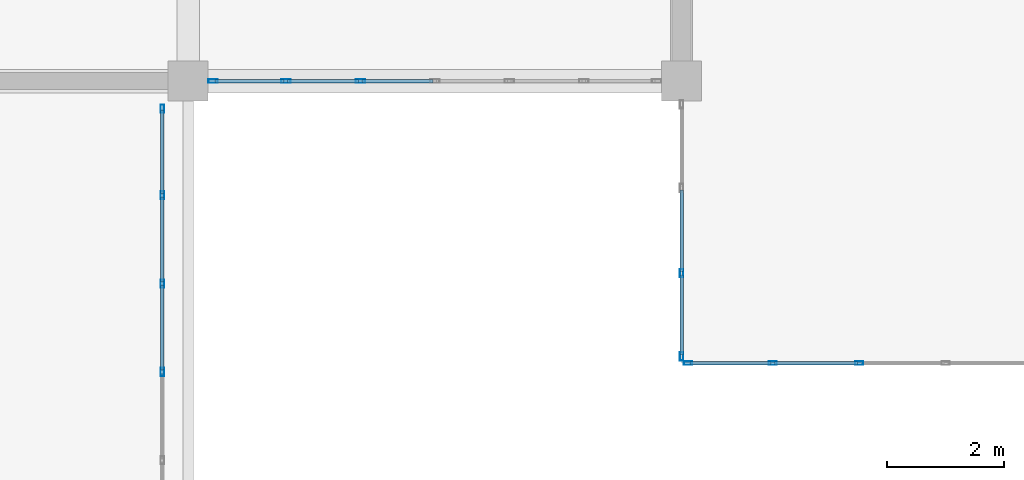
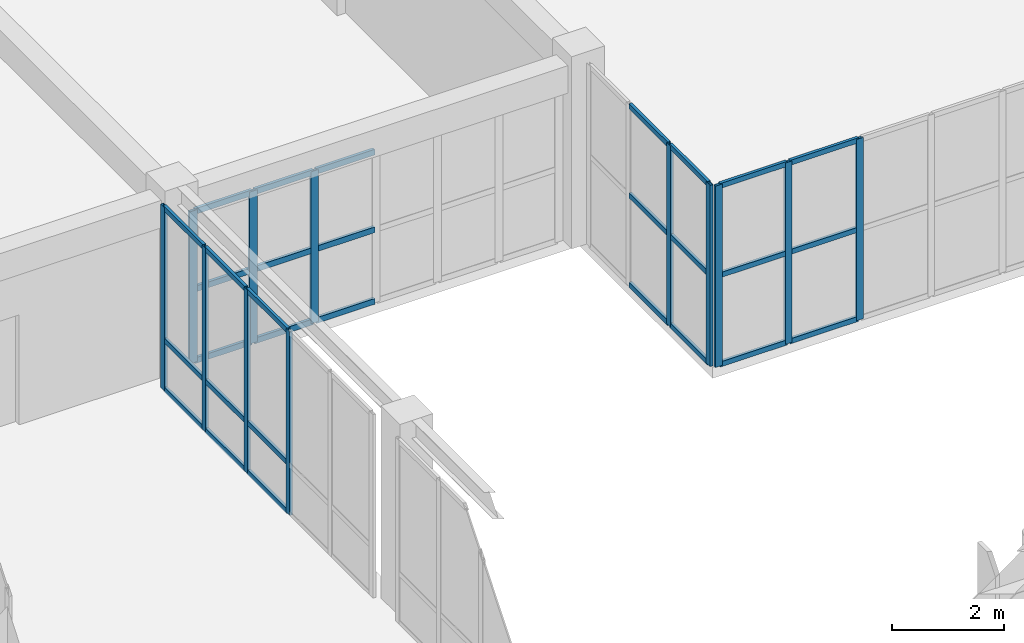
# One storey, part 38 of 140: 42 members, 4 elements without a shape of their own.
"""IFC4 building model written with IfcOpenShell, lengths in metres."""

import ifcopenshell
import ifcopenshell.guid

model = None  # the IFC model being written
_history = None  # IfcOwnerHistory: only IFC2X3 demands one
_inside = {}  # id of a spatial element -> (the spatial element, [elements in it])
_under = {}  # id of a project, library or spatial element -> (it, [spatial elements below it])
_declared = {}  # id of a project -> (the project, [libraries it declares])
_typed = {}  # id of a type object -> (the type object, [elements of that type])
_made_of = {}  # id of a material, layer set ... -> (it, [elements and type objects made of it])


def new_model(schema):
    """Start an empty IFC model of exactly this schema.

    Asked for "IFC4X3", IfcOpenShell would pick the latest addendum, in which some entities
    have other attributes; the version numbers below select the first issue.
    IFC2X3 requires an IfcOwnerHistory on every rooted entity: one is made here for all.
    """
    global model, _history
    if schema == "IFC4X3":
        model = ifcopenshell.file(schema_version=(4, 3, 0, 0))
    else:
        model = ifcopenshell.file(schema=schema)
    _inside.clear()
    _under.clear()
    _declared.clear()
    _typed.clear()
    _made_of.clear()
    _history = None
    if model.schema == "IFC2X3":
        org = make("IfcOrganization", Name="unknown")
        user = make(
            "IfcPersonAndOrganization",
            ThePerson=make("IfcPerson", FamilyName="unknown"),
            TheOrganization=org,
        )
        app = make(
            "IfcApplication",
            ApplicationDeveloper=org,
            Version="unknown",
            ApplicationFullName="unknown",
            ApplicationIdentifier="unknown",
        )
        _history = make(
            "IfcOwnerHistory",
            OwningUser=user,
            OwningApplication=app,
            ChangeAction="ADDED",
            CreationDate=0,
        )
    return model


def make(cls, **values):
    """One entity of the class cls with the attributes given. An attribute that is None is left unset."""
    return model.create_entity(
        cls, **{name: value for name, value in values.items() if value is not None}
    )


def rooted(cls, **values):
    """An entity with a GlobalId (a new one), such as an element, a storey or a relation."""
    return make(cls, GlobalId=ifcopenshell.guid.new(), OwnerHistory=_history, **values)


def si_unit(unit_type, name, prefix=None):
    """IfcSIUnit, for example si_unit("LENGTHUNIT", "METRE", prefix="MILLI")."""
    return make("IfcSIUnit", UnitType=unit_type, Prefix=prefix, Name=name)


def assignment(units):
    """IfcUnitAssignment: the units of a project."""
    return None if units is None else make("IfcUnitAssignment", Units=units)


def point(xyz):
    """IfcCartesianPoint."""
    return None if xyz is None else make("IfcCartesianPoint", Coordinates=xyz)


def direction(xyz):
    """IfcDirection."""
    return None if xyz is None else make("IfcDirection", DirectionRatios=xyz)


def frame(location, z_axis=None, x_axis=None):
    """IfcAxis2Placement3D, a coordinate frame: its origin and axes. An axis left out is left unset."""
    return make(
        "IfcAxis2Placement3D",
        Location=point(location),
        Axis=direction(z_axis),
        RefDirection=direction(x_axis),
    )


def frame_2d(location, x_axis=None):
    """IfcAxis2Placement2D, a coordinate frame in the plane: its origin and x axis."""
    return make(
        "IfcAxis2Placement2D", Location=point(location), RefDirection=direction(x_axis)
    )


def origin():
    """The frame at (0, 0, 0) with its axes left unset."""
    return frame((0.0, 0.0, 0.0))


def origin_2d():
    """The frame at (0, 0) in the plane with its x axis left unset."""
    return frame_2d((0.0, 0.0))


def place(relative_to, where):
    """IfcLocalPlacement: puts the frame where relative to a parent placement (None: the world)."""
    return make(
        "IfcLocalPlacement", PlacementRelTo=relative_to, RelativePlacement=where
    )


def context(
    kind, dimensions, precision=None, world=None, true_north=None, identifier=None
):
    """IfcGeometricRepresentationContext, for example the 3D "Model" context."""
    return make(
        "IfcGeometricRepresentationContext",
        ContextIdentifier=identifier,
        ContextType=kind,
        CoordinateSpaceDimension=dimensions,
        Precision=precision,
        WorldCoordinateSystem=world,
        TrueNorth=true_north,
    )


def subcontext(parent, identifier, kind, view, scale=None):
    """IfcGeometricRepresentationSubContext, for example "Body" below "Model"."""
    return make(
        "IfcGeometricRepresentationSubContext",
        ContextIdentifier=identifier,
        ContextType=kind,
        ParentContext=parent,
        TargetScale=scale,
        TargetView=view,
    )


def project(units=None, contexts=None):
    """IfcProject with its units and contexts."""
    return rooted(
        "IfcProject",
        Name="project",
        RepresentationContexts=contexts,
        UnitsInContext=assignment(units),
    )


def spatial(cls, under=None, at=None, **own):
    """A site, building, storey or space (cls), placed at a placement, below another one or the project."""
    s = rooted(cls, ObjectPlacement=at, **own)
    if under is not None:
        _under.setdefault(under.id(), (under, []))[1].append(s)
    return s


def profile(cls, at=None, kind="AREA", **sizes):
    """A parametric profile (cls). Its sizes go by their IFC names, for example OverallWidth=200.0."""
    return make(cls, ProfileType=kind, Position=at, **sizes)


def hollow_rectangle(**sizes):
    """IfcRectangleHollowProfileDef."""
    return profile("IfcRectangleHollowProfileDef", **sizes)


def extrude(swept, where, along, depth):
    """IfcExtrudedAreaSolid: the profile swept, set in the frame where, extruded along a direction by depth."""
    return make(
        "IfcExtrudedAreaSolid",
        SweptArea=swept,
        Position=where,
        ExtrudedDirection=direction(along),
        Depth=depth,
    )


def shape(context_of_items, identifier, shape_type, items):
    """IfcShapeRepresentation: the items that make up one representation, for example the "Body"."""
    return make(
        "IfcShapeRepresentation",
        ContextOfItems=context_of_items,
        RepresentationIdentifier=identifier,
        RepresentationType=shape_type,
        Items=items,
    )


def material(Name=None, Category=None):
    """IfcMaterial."""
    return make("IfcMaterial", Name=Name, Category=Category)


def layer(
    of_material, thickness, ventilated=None, Name=None, Category=None, Priority=None
):
    """IfcMaterialLayer: one layer of a wall or slab, of a material (None: an air gap)."""
    return make(
        "IfcMaterialLayer",
        Material=of_material,
        LayerThickness=thickness,
        IsVentilated=ventilated,
        Name=Name,
        Category=Category,
        Priority=Priority,
    )


def layer_set(layers, Name=None):
    """IfcMaterialLayerSet."""
    return make("IfcMaterialLayerSet", MaterialLayers=layers, LayerSetName=Name)


def material_profile(
    of_material, cross_section, Name=None, Category=None, Priority=None
):
    """IfcMaterialProfile: a cross section and its material."""
    return make(
        "IfcMaterialProfile",
        Name=Name,
        Material=of_material,
        Profile=cross_section,
        Priority=Priority,
        Category=Category,
    )


def profile_set(profiles, Name=None, composite=None):
    """IfcMaterialProfileSet."""
    return make(
        "IfcMaterialProfileSet",
        Name=Name,
        MaterialProfiles=profiles,
        CompositeProfile=composite,
    )


def made_of(thing, what):
    """Note that an element or type object is made of a material, layer set ...; save() writes the relation."""
    if what is not None:
        _made_of.setdefault(what.id(), (what, []))[1].append(thing)
    return thing


def type_object(cls, material=None, **own):
    """A type object (cls), such as IfcWallType, which elements share."""
    return made_of(rooted(cls, **own), material)


def element(
    cls,
    number,
    at=None,
    inside=None,
    cuts=None,
    type_object=None,
    material=None,
    context=None,
    identifier="Body",
    shape_type=None,
    held_by="IfcProductDefinitionShape",
    body=None,
    shapes=None,
    **own,
):
    """One element of the class cls, such as IfcWall. Its Tag is "e" and its number.

    at: its placement. inside: the storey or other place that contains it. cuts: it is an
    opening in that element (IfcRelVoidsElement). A single representation is given by context,
    identifier, shape_type and body (its items); several are given by shapes. held_by: the class
    of the entity that holds the representations. save() writes the other relations.
    """
    e = rooted(cls, Tag="e%d" % number, ObjectPlacement=at, **own)
    if body is not None:
        shapes = [shape(context, identifier, shape_type, body)]
    if shapes is not None:
        e.Representation = make(held_by, Representations=shapes)
    if inside is not None:
        _inside.setdefault(inside.id(), (inside, []))[1].append(e)
    if cuts is not None:
        rooted(
            "IfcRelVoidsElement", RelatingBuildingElement=cuts, RelatedOpeningElement=e
        )
    if type_object is not None:
        _typed.setdefault(type_object.id(), (type_object, []))[1].append(e)
    return made_of(e, material)


def aggregate(whole, parts):
    """IfcRelAggregates: a whole, such as a stair, and the parts it consists of."""
    return rooted("IfcRelAggregates", RelatingObject=whole, RelatedObjects=parts)


def save(model, path):
    """Write the relations noted so far, then the file.

    IfcRelAggregates (storeys below a building ...), IfcRelContainedInSpatialStructure (elements
    in a storey), IfcRelDefinesByType, IfcRelAssociatesMaterial and IfcRelDeclares: one each for
    every whole, place, type object, material and project.
    """
    for whole, parts in _under.values():
        aggregate(whole, parts)
    for where, things in _inside.values():
        rooted(
            "IfcRelContainedInSpatialStructure",
            RelatedElements=things,
            RelatingStructure=where,
        )
    for kind, things in _typed.values():
        rooted("IfcRelDefinesByType", RelatedObjects=things, RelatingType=kind)
    for what, things in _made_of.values():
        rooted("IfcRelAssociatesMaterial", RelatedObjects=things, RelatingMaterial=what)
    for by, libraries in _declared.values():
        rooted("IfcRelDeclares", RelatingContext=by, RelatedDefinitions=libraries)
    model.write(path)


model = new_model("IFC4")

# Units and contexts
model_context = context("Model", 3, precision=1e-05, world=origin(), true_north=direction((0.0, 1.0)))
body_context = subcontext(model_context, "Body", "Model", "MODEL_VIEW")
ifc_project = project(units=[si_unit("LENGTHUNIT", "METRE"), si_unit("AREAUNIT", "SQUARE_METRE"), si_unit("VOLUMEUNIT", "CUBIC_METRE"), si_unit("PLANEANGLEUNIT", "RADIAN"), si_unit("MASSUNIT", "GRAM", prefix="KILO")], contexts=[model_context])

# Site, building, storey
site_placement = place(None, origin())
site = spatial("IfcSite", under=ifc_project, at=site_placement, CompositionType="ELEMENT")
building_placement = place(site_placement, origin())
building = spatial("IfcBuilding", under=site, at=building_placement, Name="Trelvath General Hospital", CompositionType="ELEMENT")
storey_placement = place(building_placement, frame((0.0, 0.0, 16.199951171875)))
storey = spatial("IfcBuildingStorey", under=building, at=storey_placement, Name="L04", CompositionType="ELEMENT", Elevation=16.199951171875)

# Curtain wall, members
ifc_material_1 = material(Name="Anodised aluminium and low-E glass", Category="aluminium")
ifc_layer_1 = layer(ifc_material_1, 0.139892578125)
ifc_layer_set_1 = layer_set([ifc_layer_1], Name="Anodised aluminium and low-E glass")
curtain_wall_type_1 = type_object("IfcCurtainWallType", Name="CW CrystalCube 737 396 14", PredefinedType="USERDEFINED", material=ifc_layer_set_1)
curtain_wall_1_placement = place(storey_placement, origin())
curtain_wall_1 = element("IfcCurtainWall", 1, at=curtain_wall_1_placement, inside=storey, type_object=curtain_wall_type_1, Name="Crystal Cube Curtain Wall CUBE-E-T1 S1 L04", ObjectType="Unitised Glazed Curtain Wall", PredefinedType="USERDEFINED")
ifc_material_2 = material(Name="Anodised aluminium", Category="aluminium")
ifc_material_profile_1 = material_profile(ifc_material_2, hollow_rectangle(XDim=0.06005859375, YDim=0.139892578125, WallThickness=0.00390625, at=origin_2d()), Name="RHS60x140x4")
ifc_profile_set_1 = profile_set([ifc_material_profile_1], Name="Anodised aluminium")
member_type_1 = type_object("IfcMemberType", Name="CurtainMullion 60x140", PredefinedType="MULLION", material=ifc_profile_set_1)
member_1_placement = place(storey_placement, frame((95.4267578125, 37.199951171875, 0.0), z_axis=(0.0, 0.0, 1.0), x_axis=(0.0, -1.0, 0.0)))
member_1 = element("IfcMember", 2, at=member_1_placement, type_object=member_type_1, Name="CW-282 mullion 4", PredefinedType="MULLION", context=body_context, shape_type="SweptSolid", body=[
    extrude(hollow_rectangle(XDim=0.06005859375, YDim=0.139892578125, WallThickness=0.00390625, at=origin_2d()), origin(), (0.0, 0.0, 1.0), 3.9599609375),
])
member_2_placement = place(storey_placement, frame((93.953369140625, 37.199951171875, 0.0), z_axis=(0.0, 0.0, 1.0), x_axis=(0.0, -1.0, 0.0)))
member_2 = element("IfcMember", 3, at=member_2_placement, type_object=member_type_1, Name="CW-282 mullion 5", PredefinedType="MULLION", context=body_context, shape_type="SweptSolid", body=[
    extrude(hollow_rectangle(XDim=0.06005859375, YDim=0.139892578125, WallThickness=0.00390625, at=origin_2d()), origin(), (0.0, 0.0, 1.0), 3.9599609375),
])
member_3_placement = place(storey_placement, frame((92.510009765625, 37.199951171875, 0.0), z_axis=(0.0, 0.0, 1.0), x_axis=(0.0, -1.0, 0.0)))
member_3 = element("IfcMember", 4, at=member_3_placement, type_object=member_type_1, Name="CW-282 mullion 6", PredefinedType="MULLION", context=body_context, shape_type="SweptSolid", body=[
    extrude(hollow_rectangle(XDim=0.06005859375, YDim=0.139892578125, WallThickness=0.00390625, at=origin_2d()), origin(), (0.0, 0.0, 1.0), 3.9599609375),
])

ifc_material_3 = material(Name="Anodised aluminium and low-E glass", Category="aluminium")
ifc_layer_2 = layer(ifc_material_3, 0.139892578125)
ifc_layer_set_2 = layer_set([ifc_layer_2], Name="Anodised aluminium and low-E glass")
curtain_wall_type_2 = type_object("IfcCurtainWallType", Name="CW CrystalCube 435 396 14", PredefinedType="USERDEFINED", material=ifc_layer_set_2)
curtain_wall_2_placement = place(storey_placement, origin())
curtain_wall_2 = element("IfcCurtainWall", 5, at=curtain_wall_2_placement, inside=storey, type_object=curtain_wall_type_2, Name="Crystal Cube Curtain Wall CUBE-E-T1 W1 L04", ObjectType="Unitised Glazed Curtain Wall", PredefinedType="USERDEFINED")
member_4_placement = place(storey_placement, frame((92.39990234375, 37.31005859375, 0.0), z_axis=(0.0, 0.0, 1.0), x_axis=(-1.0, 0.0, 0.0)))
member_4 = element("IfcMember", 6, at=member_4_placement, type_object=member_type_1, Name="CW-289 mullion 1", PredefinedType="MULLION", context=body_context, shape_type="SweptSolid", body=[
    extrude(hollow_rectangle(XDim=0.06005859375, YDim=0.139892578125, WallThickness=0.00390625, at=origin_2d()), origin(), (0.0, 0.0, 1.0), 3.9599609375),
])
member_5_placement = place(storey_placement, frame((92.39990234375, 38.72998046875, 0.0), z_axis=(0.0, 0.0, 1.0), x_axis=(-1.0, 0.0, 0.0)))
member_5 = element("IfcMember", 7, at=member_5_placement, type_object=member_type_1, Name="CW-289 mullion 2", PredefinedType="MULLION", context=body_context, shape_type="SweptSolid", body=[
    extrude(hollow_rectangle(XDim=0.06005859375, YDim=0.139892578125, WallThickness=0.00390625, at=origin_2d()), origin(), (0.0, 0.0, 1.0), 3.9599609375),
])

ifc_material_4 = material(Name="Anodised aluminium and low-E glass", Category="aluminium")
ifc_layer_3 = layer(ifc_material_4, 0.139892578125)
ifc_layer_set_3 = layer_set([ifc_layer_3], Name="Anodised aluminium and low-E glass")
curtain_wall_type_3 = type_object("IfcCurtainWallType", Name="CW Bridge 752 401", PredefinedType="USERDEFINED", material=ifc_layer_set_3)
curtain_wall_3_placement = place(storey_placement, origin())
curtain_wall_3 = element("IfcCurtainWall", 8, at=curtain_wall_3_placement, inside=storey, type_object=curtain_wall_type_3, Name="Glazed Bridge Curtain Wall BRG-S-C E L04", ObjectType="Unitised Glazed Curtain Wall", PredefinedType="USERDEFINED")
member_6_placement = place(storey_placement, frame((83.56005859375, 41.530029296875, 0.0), z_axis=(0.0, 0.0, 1.0), x_axis=(1.0, 0.0, 0.0)))
member_6 = element("IfcMember", 9, at=member_6_placement, type_object=member_type_1, Name="CW-305 mullion 1", PredefinedType="MULLION", context=body_context, shape_type="SweptSolid", body=[
    extrude(hollow_rectangle(XDim=0.06005859375, YDim=0.139892578125, WallThickness=0.00390625, at=origin_2d()), origin(), (0.0, 0.0, 1.0), 4.010009765625),
])
member_7_placement = place(storey_placement, frame((83.56005859375, 40.055908203125, 0.0), z_axis=(0.0, 0.0, 1.0), x_axis=(1.0, 0.0, 0.0)))
member_7 = element("IfcMember", 10, at=member_7_placement, type_object=member_type_1, Name="CW-305 mullion 2", PredefinedType="MULLION", context=body_context, shape_type="SweptSolid", body=[
    extrude(hollow_rectangle(XDim=0.06005859375, YDim=0.139892578125, WallThickness=0.00390625, at=origin_2d()), origin(), (0.0, 0.0, 1.0), 4.010009765625),
])
member_8_placement = place(storey_placement, frame((83.56005859375, 38.552001953125, 0.0), z_axis=(0.0, 0.0, 1.0), x_axis=(1.0, 0.0, 0.0)))
member_8 = element("IfcMember", 11, at=member_8_placement, type_object=member_type_1, Name="CW-305 mullion 3", PredefinedType="MULLION", context=body_context, shape_type="SweptSolid", body=[
    extrude(hollow_rectangle(XDim=0.06005859375, YDim=0.139892578125, WallThickness=0.00390625, at=origin_2d()), origin(), (0.0, 0.0, 1.0), 4.010009765625),
])
member_9_placement = place(storey_placement, frame((83.56005859375, 37.048095703125, 0.0), z_axis=(0.0, 0.0, 1.0), x_axis=(1.0, 0.0, 0.0)))
member_9 = element("IfcMember", 12, at=member_9_placement, type_object=member_type_1, Name="CW-305 mullion 4", PredefinedType="MULLION", context=body_context, shape_type="SweptSolid", body=[
    extrude(hollow_rectangle(XDim=0.06005859375, YDim=0.139892578125, WallThickness=0.00390625, at=origin_2d()), origin(), (0.0, 0.0, 1.0), 4.010009765625),
])

ifc_material_5 = material(Name="Anodised aluminium and low-E glass", Category="aluminium")
ifc_layer_4 = layer(ifc_material_5, 0.14990234375)
ifc_layer_set_4 = layer_set([ifc_layer_4], Name="Anodised aluminium and low-E glass")
curtain_wall_type_4 = type_object("IfcCurtainWallType", Name="CW Facade 761 332 15", PredefinedType="USERDEFINED", material=ifc_layer_set_4)
curtain_wall_4_placement = place(storey_placement, origin())
curtain_wall_4 = element("IfcCurtainWall", 13, at=curtain_wall_4_placement, inside=storey, type_object=curtain_wall_type_4, Name="Facade Curtain Wall CW-064", ObjectType="Unitised Glazed Curtain Wall", PredefinedType="USERDEFINED")
ifc_material_6 = material(Name="Anodised aluminium", Category="aluminium")
ifc_material_profile_2 = material_profile(ifc_material_6, hollow_rectangle(XDim=0.06005859375, YDim=0.159912109375, WallThickness=0.00390625, at=origin_2d()), Name="RHS60x160x4")
ifc_profile_set_2 = profile_set([ifc_material_profile_2], Name="Anodised aluminium")
member_type_2 = type_object("IfcMemberType", Name="CurtainMullion 60x160", PredefinedType="MULLION", material=ifc_profile_set_2)
member_10_placement = place(storey_placement, frame((86.931640625, 42.0, 0.0), z_axis=(0.0, 0.0, 1.0), x_axis=(0.0, -1.0, 0.0)))
member_10 = element("IfcMember", 14, at=member_10_placement, type_object=member_type_2, Name="CW-064 mullion 5", PredefinedType="MULLION", context=body_context, shape_type="SweptSolid", body=[
    extrude(hollow_rectangle(XDim=0.06005859375, YDim=0.159912109375, WallThickness=0.00390625, at=origin_2d()), origin(), (0.0, 0.0, 1.0), 3.320068359375),
])
member_11_placement = place(storey_placement, frame((85.663330078125, 42.0, 0.0), z_axis=(0.0, 0.0, 1.0), x_axis=(0.0, -1.0, 0.0)))
member_11 = element("IfcMember", 15, at=member_11_placement, type_object=member_type_2, Name="CW-064 mullion 6", PredefinedType="MULLION", context=body_context, shape_type="SweptSolid", body=[
    extrude(hollow_rectangle(XDim=0.06005859375, YDim=0.159912109375, WallThickness=0.00390625, at=origin_2d()), origin(), (0.0, 0.0, 1.0), 3.320068359375),
])
member_12_placement = place(storey_placement, frame((84.425048828125, 42.0, 0.0), z_axis=(0.0, 0.0, 1.0), x_axis=(0.0, -1.0, 0.0)))
member_12 = element("IfcMember", 16, at=member_12_placement, type_object=member_type_2, Name="CW-064 mullion 7", PredefinedType="MULLION", context=body_context, shape_type="SweptSolid", body=[
    extrude(hollow_rectangle(XDim=0.06005859375, YDim=0.159912109375, WallThickness=0.00390625, at=origin_2d()), origin(), (0.0, 0.0, 1.0), 3.320068359375),
])

# Member
ifc_material_7 = material(Name="Anodised aluminium", Category="aluminium")
ifc_material_profile_3 = material_profile(ifc_material_7, hollow_rectangle(XDim=0.06005859375, YDim=0.110107421875, WallThickness=0.00390625, at=origin_2d()), Name="RHS60x110x4")
ifc_profile_set_3 = profile_set([ifc_material_profile_3], Name="Anodised aluminium")
member_type_3 = type_object("IfcMemberType", Name="CurtainTransom 60x110", PredefinedType="USERDEFINED", material=ifc_profile_set_3)
member_13_placement = place(storey_placement, frame((95.396728515625, 37.199951171875, 0.030029296875), z_axis=(-1.0, 0.0, 0.0), x_axis=(0.0, -1.0, 0.0)))
member_13 = element("IfcMember", 17, at=member_13_placement, type_object=member_type_3, Name="CW-282 transom 4.1", ObjectType="TRANSOM", PredefinedType="USERDEFINED", context=body_context, shape_type="SweptSolid", body=[
    extrude(hollow_rectangle(XDim=0.06005859375, YDim=0.110107421875, WallThickness=0.00390625, at=origin_2d()), origin(), (0.0, 0.0, 1.0), 1.413330078125),
])

member_14_placement = place(storey_placement, frame((95.396728515625, 37.199951171875, 1.97998046875), z_axis=(-1.0, 0.0, 0.0), x_axis=(0.0, -1.0, 0.0)))
member_14 = element("IfcMember", 18, at=member_14_placement, type_object=member_type_3, Name="CW-282 transom 4.2", ObjectType="TRANSOM", PredefinedType="USERDEFINED", context=body_context, shape_type="SweptSolid", body=[
    extrude(hollow_rectangle(XDim=0.06005859375, YDim=0.110107421875, WallThickness=0.00390625, at=origin_2d()), origin(), (0.0, 0.0, 1.0), 1.413330078125),
])

member_15_placement = place(storey_placement, frame((95.396728515625, 37.199951171875, 3.929931640625), z_axis=(-1.0, 0.0, 0.0), x_axis=(0.0, -1.0, 0.0)))
member_15 = element("IfcMember", 19, at=member_15_placement, type_object=member_type_3, Name="CW-282 transom 4.3", ObjectType="TRANSOM", PredefinedType="USERDEFINED", context=body_context, shape_type="SweptSolid", body=[
    extrude(hollow_rectangle(XDim=0.06005859375, YDim=0.110107421875, WallThickness=0.00390625, at=origin_2d()), origin(), (0.0, 0.0, 1.0), 1.413330078125),
])

member_16_placement = place(storey_placement, frame((93.92333984375, 37.199951171875, 0.030029296875), z_axis=(-1.0, 0.0, 0.0), x_axis=(0.0, -1.0, 0.0)))
member_16 = element("IfcMember", 20, at=member_16_placement, type_object=member_type_3, Name="CW-282 transom 5.1", ObjectType="TRANSOM", PredefinedType="USERDEFINED", context=body_context, shape_type="SweptSolid", body=[
    extrude(hollow_rectangle(XDim=0.06005859375, YDim=0.110107421875, WallThickness=0.00390625, at=origin_2d()), origin(), (0.0, 0.0, 1.0), 1.38330078125),
])

member_17_placement = place(storey_placement, frame((93.92333984375, 37.199951171875, 1.97998046875), z_axis=(-1.0, 0.0, 0.0), x_axis=(0.0, -1.0, 0.0)))
member_17 = element("IfcMember", 21, at=member_17_placement, type_object=member_type_3, Name="CW-282 transom 5.2", ObjectType="TRANSOM", PredefinedType="USERDEFINED", context=body_context, shape_type="SweptSolid", body=[
    extrude(hollow_rectangle(XDim=0.06005859375, YDim=0.110107421875, WallThickness=0.00390625, at=origin_2d()), origin(), (0.0, 0.0, 1.0), 1.38330078125),
])

member_18_placement = place(storey_placement, frame((93.92333984375, 37.199951171875, 3.929931640625), z_axis=(-1.0, 0.0, 0.0), x_axis=(0.0, -1.0, 0.0)))
member_18 = element("IfcMember", 22, at=member_18_placement, type_object=member_type_3, Name="CW-282 transom 5.3", ObjectType="TRANSOM", PredefinedType="USERDEFINED", context=body_context, shape_type="SweptSolid", body=[
    extrude(hollow_rectangle(XDim=0.06005859375, YDim=0.110107421875, WallThickness=0.00390625, at=origin_2d()), origin(), (0.0, 0.0, 1.0), 1.38330078125),
])

aggregate(curtain_wall_1, [member_1, member_2, member_3, member_13, member_14, member_15, member_16, member_17, member_18])

member_19_placement = place(storey_placement, frame((92.39990234375, 37.340087890625, 0.030029296875), z_axis=(0.0, 1.0, 0.0), x_axis=(-1.0, 0.0, 0.0)))
member_19 = element("IfcMember", 23, at=member_19_placement, type_object=member_type_3, Name="CW-289 transom 1.1", ObjectType="TRANSOM", PredefinedType="USERDEFINED", context=body_context, shape_type="SweptSolid", body=[
    extrude(hollow_rectangle(XDim=0.06005859375, YDim=0.110107421875, WallThickness=0.00390625, at=origin_2d()), origin(), (0.0, 0.0, 1.0), 1.35986328125),
])

member_20_placement = place(storey_placement, frame((92.39990234375, 37.340087890625, 1.97998046875), z_axis=(0.0, 1.0, 0.0), x_axis=(-1.0, 0.0, 0.0)))
member_20 = element("IfcMember", 24, at=member_20_placement, type_object=member_type_3, Name="CW-289 transom 1.2", ObjectType="TRANSOM", PredefinedType="USERDEFINED", context=body_context, shape_type="SweptSolid", body=[
    extrude(hollow_rectangle(XDim=0.06005859375, YDim=0.110107421875, WallThickness=0.00390625, at=origin_2d()), origin(), (0.0, 0.0, 1.0), 1.35986328125),
])

member_21_placement = place(storey_placement, frame((92.39990234375, 37.340087890625, 3.929931640625), z_axis=(0.0, 1.0, 0.0), x_axis=(-1.0, 0.0, 0.0)))
member_21 = element("IfcMember", 25, at=member_21_placement, type_object=member_type_3, Name="CW-289 transom 1.3", ObjectType="TRANSOM", PredefinedType="USERDEFINED", context=body_context, shape_type="SweptSolid", body=[
    extrude(hollow_rectangle(XDim=0.06005859375, YDim=0.110107421875, WallThickness=0.00390625, at=origin_2d()), origin(), (0.0, 0.0, 1.0), 1.35986328125),
])

member_22_placement = place(storey_placement, frame((92.39990234375, 38.760009765625, 0.030029296875), z_axis=(0.0, 1.0, 0.0), x_axis=(-1.0, 0.0, 0.0)))
member_22 = element("IfcMember", 26, at=member_22_placement, type_object=member_type_3, Name="CW-289 transom 2.1", ObjectType="TRANSOM", PredefinedType="USERDEFINED", context=body_context, shape_type="SweptSolid", body=[
    extrude(hollow_rectangle(XDim=0.06005859375, YDim=0.110107421875, WallThickness=0.00390625, at=origin_2d()), origin(), (0.0, 0.0, 1.0), 1.389892578125),
])

member_23_placement = place(storey_placement, frame((92.39990234375, 38.760009765625, 1.97998046875), z_axis=(0.0, 1.0, 0.0), x_axis=(-1.0, 0.0, 0.0)))
member_23 = element("IfcMember", 27, at=member_23_placement, type_object=member_type_3, Name="CW-289 transom 2.2", ObjectType="TRANSOM", PredefinedType="USERDEFINED", context=body_context, shape_type="SweptSolid", body=[
    extrude(hollow_rectangle(XDim=0.06005859375, YDim=0.110107421875, WallThickness=0.00390625, at=origin_2d()), origin(), (0.0, 0.0, 1.0), 1.389892578125),
])

member_24_placement = place(storey_placement, frame((92.39990234375, 38.760009765625, 3.929931640625), z_axis=(0.0, 1.0, 0.0), x_axis=(-1.0, 0.0, 0.0)))
member_24 = element("IfcMember", 28, at=member_24_placement, type_object=member_type_3, Name="CW-289 transom 2.3", ObjectType="TRANSOM", PredefinedType="USERDEFINED", context=body_context, shape_type="SweptSolid", body=[
    extrude(hollow_rectangle(XDim=0.06005859375, YDim=0.110107421875, WallThickness=0.00390625, at=origin_2d()), origin(), (0.0, 0.0, 1.0), 1.389892578125),
])

aggregate(curtain_wall_2, [member_4, member_5, member_19, member_20, member_21, member_22, member_23, member_24])

member_25_placement = place(storey_placement, frame((83.56005859375, 41.5, 0.030029296875), z_axis=(0.0, -1.0, 0.0), x_axis=(1.0, 0.0, 0.0)))
member_25 = element("IfcMember", 29, at=member_25_placement, type_object=member_type_3, Name="CW-305 transom 1.1", ObjectType="TRANSOM", PredefinedType="USERDEFINED", context=body_context, shape_type="SweptSolid", body=[
    extrude(hollow_rectangle(XDim=0.06005859375, YDim=0.110107421875, WallThickness=0.00390625, at=origin_2d()), origin(), (0.0, 0.0, 1.0), 1.4140625),
])

member_26_placement = place(storey_placement, frame((83.56005859375, 41.5, 1.10009765625), z_axis=(0.0, -1.0, 0.0), x_axis=(1.0, 0.0, 0.0)))
member_26 = element("IfcMember", 30, at=member_26_placement, type_object=member_type_3, Name="CW-305 transom 1.2", ObjectType="TRANSOM", PredefinedType="USERDEFINED", context=body_context, shape_type="SweptSolid", body=[
    extrude(hollow_rectangle(XDim=0.06005859375, YDim=0.110107421875, WallThickness=0.00390625, at=origin_2d()), origin(), (0.0, 0.0, 1.0), 1.4140625),
])

member_27_placement = place(storey_placement, frame((83.56005859375, 41.5, 3.97998046875), z_axis=(0.0, -1.0, 0.0), x_axis=(1.0, 0.0, 0.0)))
member_27 = element("IfcMember", 31, at=member_27_placement, type_object=member_type_3, Name="CW-305 transom 1.3", ObjectType="TRANSOM", PredefinedType="USERDEFINED", context=body_context, shape_type="SweptSolid", body=[
    extrude(hollow_rectangle(XDim=0.06005859375, YDim=0.110107421875, WallThickness=0.00390625, at=origin_2d()), origin(), (0.0, 0.0, 1.0), 1.4140625),
])

member_28_placement = place(storey_placement, frame((83.56005859375, 40.02587890625, 0.030029296875), z_axis=(0.0, -1.0, 0.0), x_axis=(1.0, 0.0, 0.0)))
member_28 = element("IfcMember", 32, at=member_28_placement, type_object=member_type_3, Name="CW-305 transom 2.1", ObjectType="TRANSOM", PredefinedType="USERDEFINED", context=body_context, shape_type="SweptSolid", body=[
    extrude(hollow_rectangle(XDim=0.06005859375, YDim=0.110107421875, WallThickness=0.00390625, at=origin_2d()), origin(), (0.0, 0.0, 1.0), 1.44384765625),
])

member_29_placement = place(storey_placement, frame((83.56005859375, 40.02587890625, 1.10009765625), z_axis=(0.0, -1.0, 0.0), x_axis=(1.0, 0.0, 0.0)))
member_29 = element("IfcMember", 33, at=member_29_placement, type_object=member_type_3, Name="CW-305 transom 2.2", ObjectType="TRANSOM", PredefinedType="USERDEFINED", context=body_context, shape_type="SweptSolid", body=[
    extrude(hollow_rectangle(XDim=0.06005859375, YDim=0.110107421875, WallThickness=0.00390625, at=origin_2d()), origin(), (0.0, 0.0, 1.0), 1.44384765625),
])

member_30_placement = place(storey_placement, frame((83.56005859375, 40.02587890625, 3.97998046875), z_axis=(0.0, -1.0, 0.0), x_axis=(1.0, 0.0, 0.0)))
member_30 = element("IfcMember", 34, at=member_30_placement, type_object=member_type_3, Name="CW-305 transom 2.3", ObjectType="TRANSOM", PredefinedType="USERDEFINED", context=body_context, shape_type="SweptSolid", body=[
    extrude(hollow_rectangle(XDim=0.06005859375, YDim=0.110107421875, WallThickness=0.00390625, at=origin_2d()), origin(), (0.0, 0.0, 1.0), 1.44384765625),
])

member_31_placement = place(storey_placement, frame((83.56005859375, 38.52197265625, 0.030029296875), z_axis=(0.0, -1.0, 0.0), x_axis=(1.0, 0.0, 0.0)))
member_31 = element("IfcMember", 35, at=member_31_placement, type_object=member_type_3, Name="CW-305 transom 3.1", ObjectType="TRANSOM", PredefinedType="USERDEFINED", context=body_context, shape_type="SweptSolid", body=[
    extrude(hollow_rectangle(XDim=0.06005859375, YDim=0.110107421875, WallThickness=0.00390625, at=origin_2d()), origin(), (0.0, 0.0, 1.0), 1.444091796875),
])

member_32_placement = place(storey_placement, frame((83.56005859375, 38.52197265625, 1.10009765625), z_axis=(0.0, -1.0, 0.0), x_axis=(1.0, 0.0, 0.0)))
member_32 = element("IfcMember", 36, at=member_32_placement, type_object=member_type_3, Name="CW-305 transom 3.2", ObjectType="TRANSOM", PredefinedType="USERDEFINED", context=body_context, shape_type="SweptSolid", body=[
    extrude(hollow_rectangle(XDim=0.06005859375, YDim=0.110107421875, WallThickness=0.00390625, at=origin_2d()), origin(), (0.0, 0.0, 1.0), 1.444091796875),
])

member_33_placement = place(storey_placement, frame((83.56005859375, 38.52197265625, 3.97998046875), z_axis=(0.0, -1.0, 0.0), x_axis=(1.0, 0.0, 0.0)))
member_33 = element("IfcMember", 37, at=member_33_placement, type_object=member_type_3, Name="CW-305 transom 3.3", ObjectType="TRANSOM", PredefinedType="USERDEFINED", context=body_context, shape_type="SweptSolid", body=[
    extrude(hollow_rectangle(XDim=0.06005859375, YDim=0.110107421875, WallThickness=0.00390625, at=origin_2d()), origin(), (0.0, 0.0, 1.0), 1.444091796875),
])

aggregate(curtain_wall_3, [member_6, member_7, member_8, member_9, member_25, member_26, member_27, member_28, member_29, member_30, member_31, member_32, member_33])

ifc_material_8 = material(Name="Anodised aluminium", Category="aluminium")
ifc_material_profile_4 = material_profile(ifc_material_8, hollow_rectangle(XDim=0.06005859375, YDim=0.125, WallThickness=0.00390625, at=origin_2d()), Name="RHS60x125x4")
ifc_profile_set_4 = profile_set([ifc_material_profile_4], Name="Anodised aluminium")
member_type_4 = type_object("IfcMemberType", Name="CurtainTransom 60x125", PredefinedType="USERDEFINED", material=ifc_profile_set_4)
member_34_placement = place(storey_placement, frame((88.169921875, 42.0, 0.030029296875), z_axis=(-1.0, 0.0, 0.0), x_axis=(0.0, -1.0, 0.0)))
member_34 = element("IfcMember", 38, at=member_34_placement, type_object=member_type_4, Name="CW-064 transom 4.1", ObjectType="TRANSOM", PredefinedType="USERDEFINED", context=body_context, shape_type="SweptSolid", body=[
    extrude(hollow_rectangle(XDim=0.06005859375, YDim=0.125, WallThickness=0.00390625, at=origin_2d()), origin(), (0.0, 0.0, 1.0), 1.208251953125),
])

member_35_placement = place(storey_placement, frame((88.169921875, 42.0, 1.593994140625), z_axis=(-1.0, 0.0, 0.0), x_axis=(0.0, -1.0, 0.0)))
member_35 = element("IfcMember", 39, at=member_35_placement, type_object=member_type_4, Name="CW-064 transom 4.2", ObjectType="TRANSOM", PredefinedType="USERDEFINED", context=body_context, shape_type="SweptSolid", body=[
    extrude(hollow_rectangle(XDim=0.06005859375, YDim=0.125, WallThickness=0.00390625, at=origin_2d()), origin(), (0.0, 0.0, 1.0), 1.208251953125),
])

member_36_placement = place(storey_placement, frame((88.169921875, 42.0, 3.2900390625), z_axis=(-1.0, 0.0, 0.0), x_axis=(0.0, -1.0, 0.0)))
member_36 = element("IfcMember", 40, at=member_36_placement, type_object=member_type_4, Name="CW-064 transom 4.3", ObjectType="TRANSOM", PredefinedType="USERDEFINED", context=body_context, shape_type="SweptSolid", body=[
    extrude(hollow_rectangle(XDim=0.06005859375, YDim=0.125, WallThickness=0.00390625, at=origin_2d()), origin(), (0.0, 0.0, 1.0), 1.208251953125),
])

member_37_placement = place(storey_placement, frame((86.901611328125, 42.0, 0.030029296875), z_axis=(-1.0, 0.0, 0.0), x_axis=(0.0, -1.0, 0.0)))
member_37 = element("IfcMember", 41, at=member_37_placement, type_object=member_type_4, Name="CW-064 transom 5.1", ObjectType="TRANSOM", PredefinedType="USERDEFINED", context=body_context, shape_type="SweptSolid", body=[
    extrude(hollow_rectangle(XDim=0.06005859375, YDim=0.125, WallThickness=0.00390625, at=origin_2d()), origin(), (0.0, 0.0, 1.0), 1.208251953125),
])

member_38_placement = place(storey_placement, frame((86.901611328125, 42.0, 1.593994140625), z_axis=(-1.0, 0.0, 0.0), x_axis=(0.0, -1.0, 0.0)))
member_38 = element("IfcMember", 42, at=member_38_placement, type_object=member_type_4, Name="CW-064 transom 5.2", ObjectType="TRANSOM", PredefinedType="USERDEFINED", context=body_context, shape_type="SweptSolid", body=[
    extrude(hollow_rectangle(XDim=0.06005859375, YDim=0.125, WallThickness=0.00390625, at=origin_2d()), origin(), (0.0, 0.0, 1.0), 1.208251953125),
])

member_39_placement = place(storey_placement, frame((86.901611328125, 42.0, 3.2900390625), z_axis=(-1.0, 0.0, 0.0), x_axis=(0.0, -1.0, 0.0)))
member_39 = element("IfcMember", 43, at=member_39_placement, type_object=member_type_4, Name="CW-064 transom 5.3", ObjectType="TRANSOM", PredefinedType="USERDEFINED", context=body_context, shape_type="SweptSolid", body=[
    extrude(hollow_rectangle(XDim=0.06005859375, YDim=0.125, WallThickness=0.00390625, at=origin_2d()), origin(), (0.0, 0.0, 1.0), 1.208251953125),
])

member_40_placement = place(storey_placement, frame((85.63330078125, 42.0, 0.030029296875), z_axis=(-1.0, 0.0, 0.0), x_axis=(0.0, -1.0, 0.0)))
member_40 = element("IfcMember", 44, at=member_40_placement, type_object=member_type_4, Name="CW-064 transom 6.1", ObjectType="TRANSOM", PredefinedType="USERDEFINED", context=body_context, shape_type="SweptSolid", body=[
    extrude(hollow_rectangle(XDim=0.06005859375, YDim=0.125, WallThickness=0.00390625, at=origin_2d()), origin(), (0.0, 0.0, 1.0), 1.17822265625),
])

member_41_placement = place(storey_placement, frame((85.63330078125, 42.0, 1.593994140625), z_axis=(-1.0, 0.0, 0.0), x_axis=(0.0, -1.0, 0.0)))
member_41 = element("IfcMember", 45, at=member_41_placement, type_object=member_type_4, Name="CW-064 transom 6.2", ObjectType="TRANSOM", PredefinedType="USERDEFINED", context=body_context, shape_type="SweptSolid", body=[
    extrude(hollow_rectangle(XDim=0.06005859375, YDim=0.125, WallThickness=0.00390625, at=origin_2d()), origin(), (0.0, 0.0, 1.0), 1.17822265625),
])

member_42_placement = place(storey_placement, frame((85.63330078125, 42.0, 3.2900390625), z_axis=(-1.0, 0.0, 0.0), x_axis=(0.0, -1.0, 0.0)))
member_42 = element("IfcMember", 46, at=member_42_placement, type_object=member_type_4, Name="CW-064 transom 6.3", ObjectType="TRANSOM", PredefinedType="USERDEFINED", context=body_context, shape_type="SweptSolid", body=[
    extrude(hollow_rectangle(XDim=0.06005859375, YDim=0.125, WallThickness=0.00390625, at=origin_2d()), origin(), (0.0, 0.0, 1.0), 1.17822265625),
])

aggregate(curtain_wall_4, [member_10, member_11, member_12, member_34, member_35, member_36, member_37, member_38, member_39, member_40, member_41, member_42])

save(model, "model.ifc")
